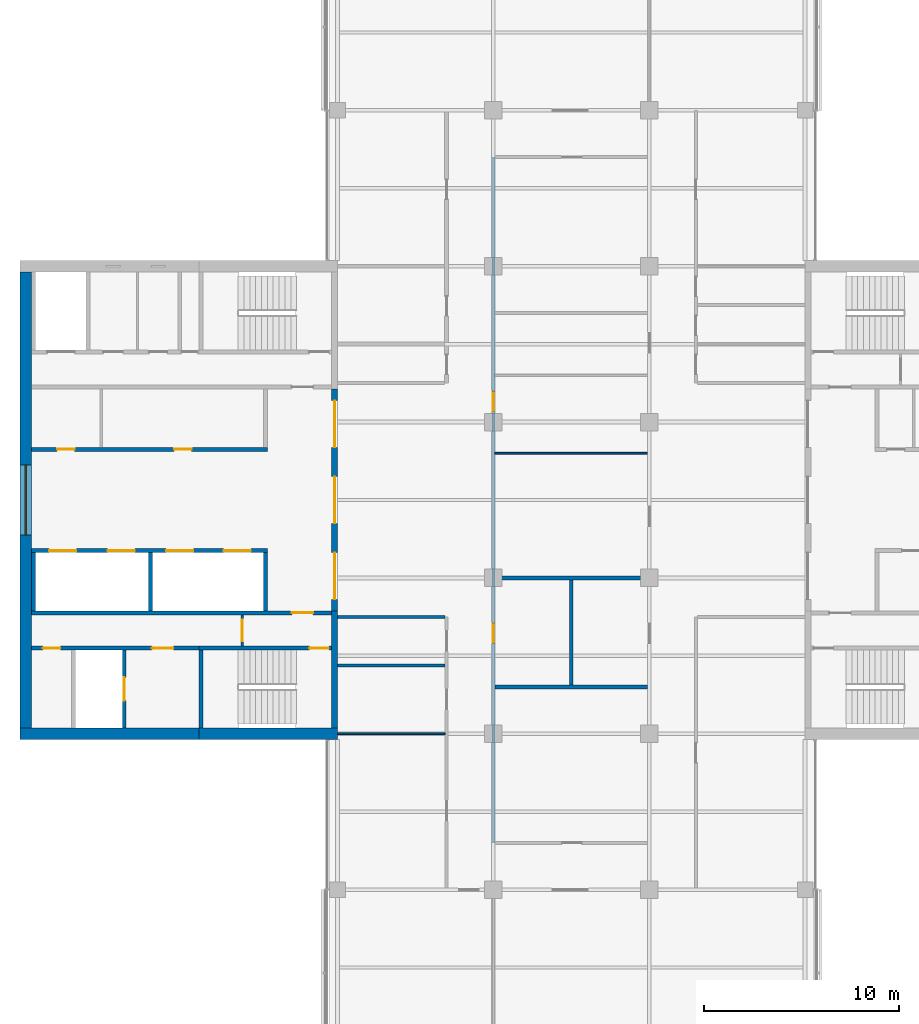
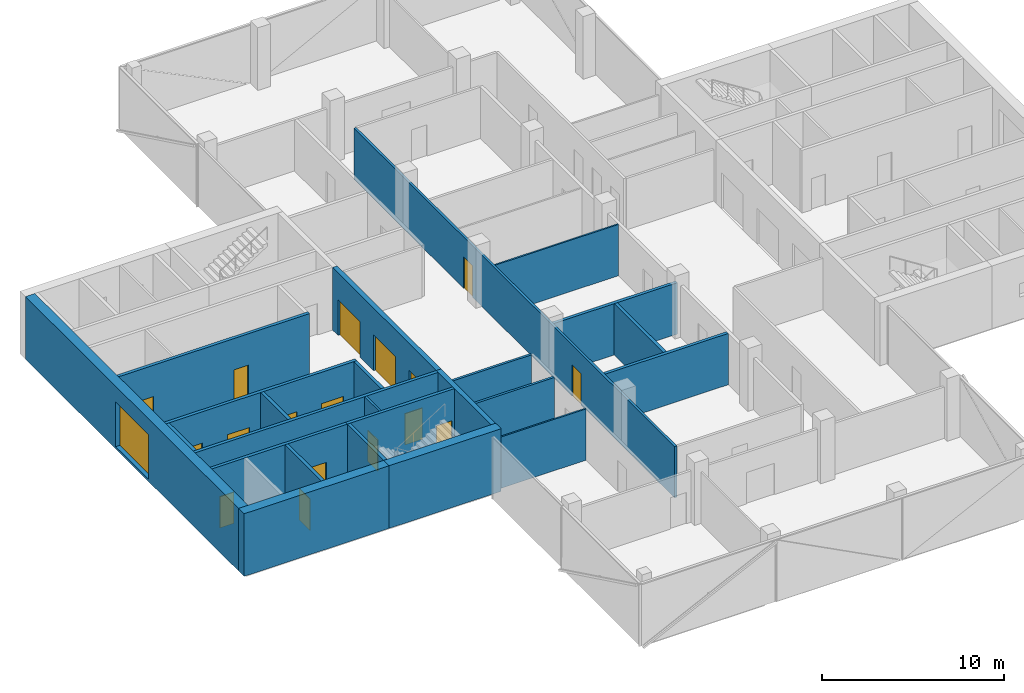
# One storey, part 9 of 15: 24 walls, 17 doors, 1 window, 18 openings.
"""IFC4 building model written with IfcOpenShell, lengths in metres."""

import ifcopenshell
import ifcopenshell.guid

model = None  # the IFC model being written
_history = None  # IfcOwnerHistory: only IFC2X3 demands one
_inside = {}  # id of a spatial element -> (the spatial element, [elements in it])
_under = {}  # id of a project, library or spatial element -> (it, [spatial elements below it])
_declared = {}  # id of a project -> (the project, [libraries it declares])
_typed = {}  # id of a type object -> (the type object, [elements of that type])
_made_of = {}  # id of a material, layer set ... -> (it, [elements and type objects made of it])


def new_model(schema):
    """Start an empty IFC model of exactly this schema.

    Asked for "IFC4X3", IfcOpenShell would pick the latest addendum, in which some entities
    have other attributes; the version numbers below select the first issue.
    IFC2X3 requires an IfcOwnerHistory on every rooted entity: one is made here for all.
    """
    global model, _history
    if schema == "IFC4X3":
        model = ifcopenshell.file(schema_version=(4, 3, 0, 0))
    else:
        model = ifcopenshell.file(schema=schema)
    _inside.clear()
    _under.clear()
    _declared.clear()
    _typed.clear()
    _made_of.clear()
    _history = None
    if model.schema == "IFC2X3":
        org = make("IfcOrganization", Name="unknown")
        user = make(
            "IfcPersonAndOrganization",
            ThePerson=make("IfcPerson", FamilyName="unknown"),
            TheOrganization=org,
        )
        app = make(
            "IfcApplication",
            ApplicationDeveloper=org,
            Version="unknown",
            ApplicationFullName="unknown",
            ApplicationIdentifier="unknown",
        )
        _history = make(
            "IfcOwnerHistory",
            OwningUser=user,
            OwningApplication=app,
            ChangeAction="ADDED",
            CreationDate=0,
        )
    return model


def make(cls, **values):
    """One entity of the class cls with the attributes given. An attribute that is None is left unset."""
    return model.create_entity(
        cls, **{name: value for name, value in values.items() if value is not None}
    )


def rooted(cls, **values):
    """An entity with a GlobalId (a new one), such as an element, a storey or a relation."""
    return make(cls, GlobalId=ifcopenshell.guid.new(), OwnerHistory=_history, **values)


def si_unit(unit_type, name, prefix=None):
    """IfcSIUnit, for example si_unit("LENGTHUNIT", "METRE", prefix="MILLI")."""
    return make("IfcSIUnit", UnitType=unit_type, Prefix=prefix, Name=name)


def assignment(units):
    """IfcUnitAssignment: the units of a project."""
    return None if units is None else make("IfcUnitAssignment", Units=units)


def point(xyz):
    """IfcCartesianPoint."""
    return None if xyz is None else make("IfcCartesianPoint", Coordinates=xyz)


def direction(xyz):
    """IfcDirection."""
    return None if xyz is None else make("IfcDirection", DirectionRatios=xyz)


def frame(location, z_axis=None, x_axis=None):
    """IfcAxis2Placement3D, a coordinate frame: its origin and axes. An axis left out is left unset."""
    return make(
        "IfcAxis2Placement3D",
        Location=point(location),
        Axis=direction(z_axis),
        RefDirection=direction(x_axis),
    )


def frame_2d(location, x_axis=None):
    """IfcAxis2Placement2D, a coordinate frame in the plane: its origin and x axis."""
    return make(
        "IfcAxis2Placement2D", Location=point(location), RefDirection=direction(x_axis)
    )


def origin():
    """The frame at (0, 0, 0) with its axes left unset."""
    return frame((0.0, 0.0, 0.0))


def place(relative_to, where):
    """IfcLocalPlacement: puts the frame where relative to a parent placement (None: the world)."""
    return make(
        "IfcLocalPlacement", PlacementRelTo=relative_to, RelativePlacement=where
    )


def context(
    kind, dimensions, precision=None, world=None, true_north=None, identifier=None
):
    """IfcGeometricRepresentationContext, for example the 3D "Model" context."""
    return make(
        "IfcGeometricRepresentationContext",
        ContextIdentifier=identifier,
        ContextType=kind,
        CoordinateSpaceDimension=dimensions,
        Precision=precision,
        WorldCoordinateSystem=world,
        TrueNorth=true_north,
    )


def subcontext(parent, identifier, kind, view, scale=None):
    """IfcGeometricRepresentationSubContext, for example "Body" below "Model"."""
    return make(
        "IfcGeometricRepresentationSubContext",
        ContextIdentifier=identifier,
        ContextType=kind,
        ParentContext=parent,
        TargetScale=scale,
        TargetView=view,
    )


def project(units=None, contexts=None):
    """IfcProject with its units and contexts."""
    return rooted(
        "IfcProject",
        Name="project",
        RepresentationContexts=contexts,
        UnitsInContext=assignment(units),
    )


def spatial(cls, under=None, at=None, **own):
    """A site, building, storey or space (cls), placed at a placement, below another one or the project."""
    s = rooted(cls, ObjectPlacement=at, **own)
    if under is not None:
        _under.setdefault(under.id(), (under, []))[1].append(s)
    return s


def profile(cls, at=None, kind="AREA", **sizes):
    """A parametric profile (cls). Its sizes go by their IFC names, for example OverallWidth=200.0."""
    return make(cls, ProfileType=kind, Position=at, **sizes)


def rectangle(**sizes):
    """IfcRectangleProfileDef."""
    return profile("IfcRectangleProfileDef", **sizes)


def extrude(swept, where, along, depth):
    """IfcExtrudedAreaSolid: the profile swept, set in the frame where, extruded along a direction by depth."""
    return make(
        "IfcExtrudedAreaSolid",
        SweptArea=swept,
        Position=where,
        ExtrudedDirection=direction(along),
        Depth=depth,
    )


def shape(context_of_items, identifier, shape_type, items):
    """IfcShapeRepresentation: the items that make up one representation, for example the "Body"."""
    return make(
        "IfcShapeRepresentation",
        ContextOfItems=context_of_items,
        RepresentationIdentifier=identifier,
        RepresentationType=shape_type,
        Items=items,
    )


def material(Name=None, Category=None):
    """IfcMaterial."""
    return make("IfcMaterial", Name=Name, Category=Category)


def layer(
    of_material, thickness, ventilated=None, Name=None, Category=None, Priority=None
):
    """IfcMaterialLayer: one layer of a wall or slab, of a material (None: an air gap)."""
    return make(
        "IfcMaterialLayer",
        Material=of_material,
        LayerThickness=thickness,
        IsVentilated=ventilated,
        Name=Name,
        Category=Category,
        Priority=Priority,
    )


def layer_set(layers, Name=None):
    """IfcMaterialLayerSet."""
    return make("IfcMaterialLayerSet", MaterialLayers=layers, LayerSetName=Name)


def constituent(of_material, Name=None, Category=None, fraction=None):
    """IfcMaterialConstituent: one of the materials an element consists of."""
    return make(
        "IfcMaterialConstituent",
        Name=Name,
        Material=of_material,
        Fraction=fraction,
        Category=Category,
    )


def constituent_set(constituents=None, Name=None):
    """IfcMaterialConstituentSet."""
    return make(
        "IfcMaterialConstituentSet", Name=Name, MaterialConstituents=constituents
    )


def made_of(thing, what):
    """Note that an element or type object is made of a material, layer set ...; save() writes the relation."""
    if what is not None:
        _made_of.setdefault(what.id(), (what, []))[1].append(thing)
    return thing


def type_object(cls, material=None, **own):
    """A type object (cls), such as IfcWallType, which elements share."""
    return made_of(rooted(cls, **own), material)


def element(
    cls,
    number,
    at=None,
    inside=None,
    cuts=None,
    type_object=None,
    material=None,
    context=None,
    identifier="Body",
    shape_type=None,
    held_by="IfcProductDefinitionShape",
    body=None,
    shapes=None,
    **own,
):
    """One element of the class cls, such as IfcWall. Its Tag is "e" and its number.

    at: its placement. inside: the storey or other place that contains it. cuts: it is an
    opening in that element (IfcRelVoidsElement). A single representation is given by context,
    identifier, shape_type and body (its items); several are given by shapes. held_by: the class
    of the entity that holds the representations. save() writes the other relations.
    """
    e = rooted(cls, Tag="e%d" % number, ObjectPlacement=at, **own)
    if body is not None:
        shapes = [shape(context, identifier, shape_type, body)]
    if shapes is not None:
        e.Representation = make(held_by, Representations=shapes)
    if inside is not None:
        _inside.setdefault(inside.id(), (inside, []))[1].append(e)
    if cuts is not None:
        rooted(
            "IfcRelVoidsElement", RelatingBuildingElement=cuts, RelatedOpeningElement=e
        )
    if type_object is not None:
        _typed.setdefault(type_object.id(), (type_object, []))[1].append(e)
    return made_of(e, material)


def fill(opening, filler):
    """IfcRelFillsElement: the door or window that sits in an opening."""
    return rooted(
        "IfcRelFillsElement",
        RelatingOpeningElement=opening,
        RelatedBuildingElement=filler,
    )


def aggregate(whole, parts):
    """IfcRelAggregates: a whole, such as a stair, and the parts it consists of."""
    return rooted("IfcRelAggregates", RelatingObject=whole, RelatedObjects=parts)


def save(model, path):
    """Write the relations noted so far, then the file.

    IfcRelAggregates (storeys below a building ...), IfcRelContainedInSpatialStructure (elements
    in a storey), IfcRelDefinesByType, IfcRelAssociatesMaterial and IfcRelDeclares: one each for
    every whole, place, type object, material and project.
    """
    for whole, parts in _under.values():
        aggregate(whole, parts)
    for where, things in _inside.values():
        rooted(
            "IfcRelContainedInSpatialStructure",
            RelatedElements=things,
            RelatingStructure=where,
        )
    for kind, things in _typed.values():
        rooted("IfcRelDefinesByType", RelatedObjects=things, RelatingType=kind)
    for what, things in _made_of.values():
        rooted("IfcRelAssociatesMaterial", RelatedObjects=things, RelatingMaterial=what)
    for by, libraries in _declared.values():
        rooted("IfcRelDeclares", RelatingContext=by, RelatedDefinitions=libraries)
    model.write(path)


model = new_model("IFC4")

# Units and contexts
model_context = context("Model", 3, precision=1e-05, world=origin(), true_north=direction((0.0, 1.0)))
body_context = subcontext(model_context, "Body", "Model", "MODEL_VIEW")
ifc_project = project(units=[si_unit("LENGTHUNIT", "METRE"), si_unit("AREAUNIT", "SQUARE_METRE"), si_unit("VOLUMEUNIT", "CUBIC_METRE"), si_unit("PLANEANGLEUNIT", "RADIAN"), si_unit("MASSUNIT", "GRAM", prefix="KILO")], contexts=[model_context])

# Site, building, storey
site_placement = place(None, origin())
site = spatial("IfcSite", under=ifc_project, at=site_placement, CompositionType="ELEMENT")
building_placement = place(site_placement, origin())
building = spatial("IfcBuilding", under=site, at=building_placement, Name="Crosswind Convention Tower", CompositionType="ELEMENT")
storey_placement = place(building_placement, frame((0.0, 0.0, 220.89990234375)))
storey = spatial("IfcBuildingStorey", under=building, at=storey_placement, Name="L47", CompositionType="ELEMENT", Elevation=220.89990234375)

# Walls
ifc_material_1 = material(Name="Concrete blockwork", Category="masonry")
ifc_layer_1 = layer(ifc_material_1, 0.199951171875)
ifc_layer_set_1 = layer_set([ifc_layer_1], Name="COMPARTMENT WALL 200 BLOCKWORK")
wall_type_1 = type_object("IfcWallType", Name="COMPARTMENT WALL 200 BLOCKWORK", PredefinedType="SOLIDWALL", material=ifc_layer_set_1)
wall_1_placement = place(storey_placement, frame((125.0, 90.5, 0.0), z_axis=(0.0, 0.0, 1.0), x_axis=(0.0, 1.0, 0.0)))
element("IfcWall", 1, at=wall_1_placement, inside=storey, type_object=wall_type_1, Name="Compartment wall WT42", PredefinedType="SOLIDWALL", context=body_context, shape_type="SweptSolid", body=[
    extrude(rectangle(XDim=5.39990234375, YDim=0.199951171875, at=frame_2d((2.699951171875, 0.0))), origin(), (0.0, 0.0, 1.0), 3.43994140625),
])
for number, where, z_axis, x_axis, name in (
    (2, (121.074951171875, 90.39990234375, 0.0), (0.0, 0.0, 1.0), (1.0, 0.0, 0.0), "Compartment wall WT42"),
    (3, (121.074951171875, 96.0, 0.0), (0.0, 0.0, 1.0), (1.0, 0.0, 0.0), "Compartment wall WT42"),
):
    element("IfcWall", number, at=place(storey_placement, frame(where, z_axis=z_axis, x_axis=x_axis)), inside=storey, type_object=wall_type_1, Name=name, PredefinedType="SOLIDWALL", context=body_context, shape_type="SweptSolid", body=[
        extrude(rectangle(XDim=7.824951171875, YDim=0.199951171875, at=frame_2d((3.91259765625, 0.0))), origin(), (0.0, 0.0, 1.0), 3.43994140625),
    ])

# Wall, openings, doors
ifc_material_2 = material(Name="Concrete C50/60", Category="concrete")
ifc_layer_2 = layer(ifc_material_2, 0.300048828125)
ifc_layer_set_2 = layer_set([ifc_layer_2], Name="Concrete C50/60")
wall_type_2 = type_object("IfcWallType", Name="Concrete inner core wall 300", PredefinedType="SHEAR", material=ifc_layer_set_2)
wall_2_placement = place(storey_placement, frame((112.85009765625, 105.699951171875, 0.0), z_axis=(0.0, 0.0, 1.0), x_axis=(0.0, -1.0, 0.0)))
wall_2 = element("IfcWall", 4, at=wall_2_placement, inside=storey, type_object=wall_type_2, Name="Wall SCR W L47", PredefinedType="SHEAR", context=body_context, shape_type="SweptSolid", body=[
    extrude(rectangle(XDim=11.39990234375, YDim=0.300048828125, at=frame_2d((5.699951171875, 0.0))), origin(), (0.0, 0.0, 1.0), 4.2001953125),
])
opening_1_placement = place(wall_2_placement, frame((0.60009765625, 0.0, 0.0)))
opening_1 = element("IfcOpeningElement", 5, at=opening_1_placement, cuts=wall_2, Name="Opening D100", PredefinedType="OPENING", context=body_context, shape_type="SweptSolid", body=[
    extrude(rectangle(XDim=2.39990234375, YDim=2.39990234375, at=frame_2d((1.199951171875, 1.199951171875))), frame((0.0, 0.159912109375, 0.0), z_axis=(0.0, -1.0, 0.0), x_axis=(1.0, 0.0, 0.0)), (0.0, 0.0, 1.0), 0.320068359375),
])
opening_2_placement = place(wall_2_placement, frame((4.5, 0.0, 0.0)))
opening_2 = element("IfcOpeningElement", 6, at=opening_2_placement, cuts=wall_2, Name="Opening D100", PredefinedType="OPENING", context=body_context, shape_type="SweptSolid", body=[
    extrude(rectangle(XDim=2.39990234375, YDim=2.39990234375, at=frame_2d((1.199951171875, 1.199951171875))), frame((0.0, 0.159912109375, 0.0), z_axis=(0.0, -1.0, 0.0), x_axis=(1.0, 0.0, 0.0)), (0.0, 0.0, 1.0), 0.320068359375),
])
opening_3_placement = place(wall_2_placement, frame((8.39990234375, 0.0, 0.0)))
opening_3 = element("IfcOpeningElement", 7, at=opening_3_placement, cuts=wall_2, Name="Opening D100", PredefinedType="OPENING", context=body_context, shape_type="SweptSolid", body=[
    extrude(rectangle(XDim=2.39990234375, YDim=2.39990234375, at=frame_2d((1.199951171875, 1.199951171875))), frame((0.0, 0.159912109375, 0.0), z_axis=(0.0, -1.0, 0.0), x_axis=(1.0, 0.0, 0.0)), (0.0, 0.0, 1.0), 0.320068359375),
])
ifc_material_3 = material(Name="Steel fire door with glazed vision panels", Category="steel")
door_type_1 = type_object("IfcDoorType", Name="Fire-rated double door 2400x2400", OperationType="DOUBLE_DOOR_SINGLE_SWING", PredefinedType="DOOR", material=ifc_material_3)
door_1_placement = place(opening_1_placement, origin())
door_1 = element("IfcDoor", 8, at=door_1_placement, inside=storey, type_object=door_type_1, Name="Lobby door 1 L47", ObjectType="D100", OperationType="DOUBLE_DOOR_SINGLE_SWING", OverallHeight=2.39990234375, OverallWidth=2.39990234375, PredefinedType="DOOR", context=body_context, shape_type="SweptSolid", body=[
    extrude(rectangle(XDim=2.39990234375, YDim=2.39990234375, at=frame_2d((1.199951171875, 1.199951171875))), frame((0.0, 0.02490234375, 0.0), z_axis=(0.0, -1.0, 0.0), x_axis=(1.0, 0.0, 0.0)), (0.0, 0.0, 1.0), 0.050048828125),
])
fill(opening_1, door_1)
door_2_placement = place(opening_2_placement, origin())
door_2 = element("IfcDoor", 9, at=door_2_placement, inside=storey, type_object=door_type_1, Name="Lobby door 2 L47", ObjectType="D100", OperationType="DOUBLE_DOOR_SINGLE_SWING", OverallHeight=2.39990234375, OverallWidth=2.39990234375, PredefinedType="DOOR", context=body_context, shape_type="SweptSolid", body=[
    extrude(rectangle(XDim=2.39990234375, YDim=2.39990234375, at=frame_2d((1.199951171875, 1.199951171875))), frame((0.0, 0.02490234375, 0.0), z_axis=(0.0, -1.0, 0.0), x_axis=(1.0, 0.0, 0.0)), (0.0, 0.0, 1.0), 0.050048828125),
])
fill(opening_2, door_2)
door_3_placement = place(opening_3_placement, origin())
door_3 = element("IfcDoor", 10, at=door_3_placement, inside=storey, type_object=door_type_1, Name="Lobby door 3 L47", ObjectType="D100", OperationType="DOUBLE_DOOR_SINGLE_SWING", OverallHeight=2.39990234375, OverallWidth=2.39990234375, PredefinedType="DOOR", context=body_context, shape_type="SweptSolid", body=[
    extrude(rectangle(XDim=2.39990234375, YDim=2.39990234375, at=frame_2d((1.199951171875, 1.199951171875))), frame((0.0, 0.02490234375, 0.0), z_axis=(0.0, -1.0, 0.0), x_axis=(1.0, 0.0, 0.0)), (0.0, 0.0, 1.0), 0.050048828125),
])
fill(opening_3, door_3)

# Walls
wall_3_placement = place(storey_placement, frame((112.85009765625, 94.300048828125, 0.0), z_axis=(0.0, 0.0, 1.0), x_axis=(0.0, -1.0, 0.0)))
element("IfcWall", 11, at=wall_3_placement, inside=storey, type_object=wall_type_2, Name="Wall EP W L47", PredefinedType="SHEAR", context=body_context, shape_type="SweptSolid", body=[
    extrude(rectangle(XDim=6.0, YDim=0.300048828125, at=frame_2d((3.0, 0.0))), origin(), (0.0, 0.0, 1.0), 4.2001953125),
])
ifc_layer_3 = layer(ifc_material_2, 0.199951171875)
ifc_layer_set_3 = layer_set([ifc_layer_3], Name="Concrete C50/60")
wall_type_3 = type_object("IfcWallType", Name="Concrete shaft and stair wall 200", PredefinedType="SHEAR", material=ifc_layer_set_3)
for number, where, z_axis, x_axis, name in (
    (12, (109.300048828125, 97.300048828125, 0.0), (0.0, 0.0, 1.0), (0.0, -1.0, 0.0), "Wall RPEND W L47"),
    (13, (103.39990234375, 97.300048828125, 0.0), (0.0, 0.0, 1.0), (0.0, -1.0, 0.0), "Wall RPSEP W L47"),
    (14, (97.39990234375, 97.300048828125, 0.0), (0.0, 0.0, 1.0), (0.0, -1.0, 0.0), "Wall RPEAST W L47"),
):
    element("IfcWall", number, at=place(storey_placement, frame(where, z_axis=z_axis, x_axis=x_axis)), inside=storey, type_object=wall_type_3, Name=name, PredefinedType="SHEAR", context=body_context, shape_type="SweptSolid", body=[
        extrude(rectangle(XDim=3.0, YDim=0.199951171875, at=frame_2d((1.5, 0.0))), origin(), (0.0, 0.0, 1.0), 4.2001953125),
    ])

# Wall, openings, doors
wall_4_placement = place(storey_placement, frame((109.39990234375, 97.39990234375, 0.0), z_axis=(0.0, 0.0, 1.0), x_axis=(-1.0, 0.0, 0.0)))
wall_4 = element("IfcWall", 15, at=wall_4_placement, inside=storey, type_object=wall_type_3, Name="Wall RPFRONT W L47", PredefinedType="SHEAR", context=body_context, shape_type="SweptSolid", body=[
    extrude(rectangle(XDim=12.099853515625, YDim=0.199951171875, at=frame_2d((6.0498046875, 0.0))), origin(), (0.0, 0.0, 1.0), 4.2001953125),
])
opening_4_placement = place(wall_4_placement, frame((0.85009765625, 0.0, 0.0)))
opening_4 = element("IfcOpeningElement", 16, at=opening_4_placement, cuts=wall_4, Name="Opening LD2", PredefinedType="OPENING", context=body_context, shape_type="SweptSolid", body=[
    extrude(rectangle(XDim=1.39990234375, YDim=2.10009765625, at=frame_2d((0.699951171875, 1.050048828125))), frame((0.0, 0.10986328125, 0.0), z_axis=(0.0, -1.0, 0.0), x_axis=(1.0, 0.0, 0.0)), (0.0, 0.0, 1.0), 0.219970703125),
])
opening_5_placement = place(wall_4_placement, frame((3.800048828125, 0.0, 0.0)))
opening_5 = element("IfcOpeningElement", 17, at=opening_5_placement, cuts=wall_4, Name="Opening LD2", PredefinedType="OPENING", context=body_context, shape_type="SweptSolid", body=[
    extrude(rectangle(XDim=1.39990234375, YDim=2.10009765625, at=frame_2d((0.699951171875, 1.050048828125))), frame((0.0, 0.10986328125, 0.0), z_axis=(0.0, -1.0, 0.0), x_axis=(1.0, 0.0, 0.0)), (0.0, 0.0, 1.0), 0.219970703125),
])
opening_6_placement = place(wall_4_placement, frame((6.800048828125, 0.0, 0.0)))
opening_6 = element("IfcOpeningElement", 18, at=opening_6_placement, cuts=wall_4, Name="Opening LD2", PredefinedType="OPENING", context=body_context, shape_type="SweptSolid", body=[
    extrude(rectangle(XDim=1.39990234375, YDim=2.10009765625, at=frame_2d((0.699951171875, 1.050048828125))), frame((0.0, 0.10986328125, 0.0), z_axis=(0.0, -1.0, 0.0), x_axis=(1.0, 0.0, 0.0)), (0.0, 0.0, 1.0), 0.219970703125),
])
opening_7_placement = place(wall_4_placement, frame((9.800048828125, 0.0, 0.0)))
opening_7 = element("IfcOpeningElement", 19, at=opening_7_placement, cuts=wall_4, Name="Opening LD2", PredefinedType="OPENING", context=body_context, shape_type="SweptSolid", body=[
    extrude(rectangle(XDim=1.39990234375, YDim=2.10009765625, at=frame_2d((0.699951171875, 1.050048828125))), frame((0.0, 0.10986328125, 0.0), z_axis=(0.0, -1.0, 0.0), x_axis=(1.0, 0.0, 0.0)), (0.0, 0.0, 1.0), 0.219970703125),
])
ifc_material_4 = material(Name="Stainless steel", Category="steel")
door_type_2 = type_object("IfcDoorType", Name="Lift landing door 1400x2100", OperationType="DOUBLE_DOOR_SLIDING", PredefinedType="DOOR", material=ifc_material_4)
door_4_placement = place(opening_4_placement, origin())
door_4 = element("IfcDoor", 20, at=door_4_placement, inside=storey, type_object=door_type_2, Name="Landing door HR1 L47", ObjectType="LD2", OperationType="DOUBLE_DOOR_SLIDING", OverallHeight=2.10009765625, OverallWidth=1.39990234375, PredefinedType="DOOR", context=body_context, shape_type="SweptSolid", body=[
    extrude(rectangle(XDim=1.39990234375, YDim=2.10009765625, at=frame_2d((0.699951171875, 1.050048828125))), frame((0.0, 0.02490234375, 0.0), z_axis=(0.0, -1.0, 0.0), x_axis=(1.0, 0.0, 0.0)), (0.0, 0.0, 1.0), 0.050048828125),
])
fill(opening_4, door_4)
door_5_placement = place(opening_5_placement, origin())
door_5 = element("IfcDoor", 21, at=door_5_placement, inside=storey, type_object=door_type_2, Name="Landing door HR2 L47", ObjectType="LD2", OperationType="DOUBLE_DOOR_SLIDING", OverallHeight=2.10009765625, OverallWidth=1.39990234375, PredefinedType="DOOR", context=body_context, shape_type="SweptSolid", body=[
    extrude(rectangle(XDim=1.39990234375, YDim=2.10009765625, at=frame_2d((0.699951171875, 1.050048828125))), frame((0.0, 0.02490234375, 0.0), z_axis=(0.0, -1.0, 0.0), x_axis=(1.0, 0.0, 0.0)), (0.0, 0.0, 1.0), 0.050048828125),
])
fill(opening_5, door_5)
door_6_placement = place(opening_6_placement, origin())
door_6 = element("IfcDoor", 22, at=door_6_placement, inside=storey, type_object=door_type_2, Name="Landing door HR3 L47", ObjectType="LD2", OperationType="DOUBLE_DOOR_SLIDING", OverallHeight=2.10009765625, OverallWidth=1.39990234375, PredefinedType="DOOR", context=body_context, shape_type="SweptSolid", body=[
    extrude(rectangle(XDim=1.39990234375, YDim=2.10009765625, at=frame_2d((0.699951171875, 1.050048828125))), frame((0.0, 0.02490234375, 0.0), z_axis=(0.0, -1.0, 0.0), x_axis=(1.0, 0.0, 0.0)), (0.0, 0.0, 1.0), 0.050048828125),
])
fill(opening_6, door_6)
door_7_placement = place(opening_7_placement, origin())
door_7 = element("IfcDoor", 23, at=door_7_placement, inside=storey, type_object=door_type_2, Name="Landing door HR4 L47", ObjectType="LD2", OperationType="DOUBLE_DOOR_SLIDING", OverallHeight=2.10009765625, OverallWidth=1.39990234375, PredefinedType="DOOR", context=body_context, shape_type="SweptSolid", body=[
    extrude(rectangle(XDim=1.39990234375, YDim=2.10009765625, at=frame_2d((0.699951171875, 1.050048828125))), frame((0.0, 0.02490234375, 0.0), z_axis=(0.0, -1.0, 0.0), x_axis=(1.0, 0.0, 0.0)), (0.0, 0.0, 1.0), 0.050048828125),
])
fill(opening_7, door_7)

wall_5_placement = place(storey_placement, frame((109.39990234375, 102.60009765625, 0.0), z_axis=(0.0, 0.0, 1.0), x_axis=(-1.0, 0.0, 0.0)))
wall_5 = element("IfcWall", 24, at=wall_5_placement, inside=storey, type_object=wall_type_3, Name="Wall RMFRONT W L47", PredefinedType="SHEAR", context=body_context, shape_type="SweptSolid", body=[
    extrude(rectangle(XDim=12.099853515625, YDim=0.199951171875, at=frame_2d((6.0498046875, 0.0))), origin(), (0.0, 0.0, 1.0), 4.2001953125),
])
opening_8_placement = place(wall_5_placement, frame((3.8837890625, 0.0, 0.0)))
opening_8 = element("IfcOpeningElement", 25, at=opening_8_placement, cuts=wall_5, Name="Opening D106", PredefinedType="OPENING", context=body_context, shape_type="SweptSolid", body=[
    extrude(rectangle(XDim=0.89990234375, YDim=2.10009765625, at=frame_2d((0.449951171875, 1.050048828125))), frame((0.0, 0.10986328125, 0.0), z_axis=(0.0, -1.0, 0.0), x_axis=(1.0, 0.0, 0.0)), (0.0, 0.0, 1.0), 0.219970703125),
])
opening_9_placement = place(wall_5_placement, frame((9.896240234375, 0.0, 0.0)))
opening_9 = element("IfcOpeningElement", 26, at=opening_9_placement, cuts=wall_5, Name="Opening D106", PredefinedType="OPENING", context=body_context, shape_type="SweptSolid", body=[
    extrude(rectangle(XDim=0.89990234375, YDim=2.10009765625, at=frame_2d((0.449951171875, 1.050048828125))), frame((0.0, 0.10986328125, 0.0), z_axis=(0.0, -1.0, 0.0), x_axis=(1.0, 0.0, 0.0)), (0.0, 0.0, 1.0), 0.219970703125),
])
ifc_material_5 = material(Name="Timber door", Category="wood")
door_type_3 = type_object("IfcDoorType", Name="Single leaf door 900x2100", OperationType="NOTDEFINED", PredefinedType="DOOR", material=ifc_material_5)
door_8_placement = place(opening_8_placement, frame((0.89990234375, 0.0, 0.0), z_axis=(0.0, 0.0, 1.0), x_axis=(-1.0, 0.0, 0.0)))
door_8 = element("IfcDoor", 27, at=door_8_placement, inside=storey, type_object=door_type_3, Name="Door to pantry L47", ObjectType="D106", OperationType="SINGLE_SWING_LEFT", OverallHeight=2.10009765625, OverallWidth=0.89990234375, PredefinedType="DOOR", context=body_context, shape_type="SweptSolid", body=[
    extrude(rectangle(XDim=0.89990234375, YDim=2.10009765625, at=frame_2d((0.449951171875, 1.050048828125))), frame((0.0, 0.02490234375, 0.0), z_axis=(0.0, -1.0, 0.0), x_axis=(1.0, 0.0, 0.0)), (0.0, 0.0, 1.0), 0.050048828125),
])
fill(opening_8, door_8)
door_9_placement = place(opening_9_placement, frame((0.89990234375, 0.0, 0.0), z_axis=(0.0, 0.0, 1.0), x_axis=(-1.0, 0.0, 0.0)))
door_9 = element("IfcDoor", 28, at=door_9_placement, inside=storey, type_object=door_type_3, Name="Door to telecoms room L47", ObjectType="D106", OperationType="SINGLE_SWING_LEFT", OverallHeight=2.10009765625, OverallWidth=0.89990234375, PredefinedType="DOOR", context=body_context, shape_type="SweptSolid", body=[
    extrude(rectangle(XDim=0.89990234375, YDim=2.10009765625, at=frame_2d((0.449951171875, 1.050048828125))), frame((0.0, 0.02490234375, 0.0), z_axis=(0.0, -1.0, 0.0), x_axis=(1.0, 0.0, 0.0)), (0.0, 0.0, 1.0), 0.050048828125),
])
fill(opening_9, door_9)

# Wall, opening, door
wall_6_placement = place(storey_placement, frame((112.699951171875, 94.199951171875, 0.0), z_axis=(0.0, 0.0, 1.0), x_axis=(-1.0, 0.0, 0.0)))
wall_6 = element("IfcWall", 29, at=wall_6_placement, inside=storey, type_object=wall_type_3, Name="Wall HP W L47", PredefinedType="SHEAR", context=body_context, shape_type="SweptSolid", body=[
    extrude(rectangle(XDim=15.39990234375, YDim=0.199951171875, at=frame_2d((7.699951171875, 0.0))), origin(), (0.0, 0.0, 1.0), 4.2001953125),
])
opening_10_placement = place(wall_6_placement, frame((0.949951171875, 0.0, 0.0)))
opening_10 = element("IfcOpeningElement", 30, at=opening_10_placement, cuts=wall_6, Name="Opening D104", PredefinedType="OPENING", context=body_context, shape_type="SweptSolid", body=[
    extrude(rectangle(XDim=1.10009765625, YDim=2.10009765625, at=frame_2d((0.550048828125, 1.050048828125))), frame((0.0, 0.10986328125, 0.0), z_axis=(0.0, -1.0, 0.0), x_axis=(1.0, 0.0, 0.0)), (0.0, 0.0, 1.0), 0.219970703125),
])
ifc_material_6 = material(Name="Steel fire door", Category="steel")
door_type_4 = type_object("IfcDoorType", Name="Fire-rated single door 1100x2100", OperationType="NOTDEFINED", PredefinedType="DOOR", material=ifc_material_6)
door_10_placement = place(opening_10_placement, origin())
door_10 = element("IfcDoor", 31, at=door_10_placement, inside=storey, type_object=door_type_4, Name="Corridor door L47", ObjectType="D104", OperationType="SINGLE_SWING_LEFT", OverallHeight=2.10009765625, OverallWidth=1.10009765625, PredefinedType="DOOR", context=body_context, shape_type="SweptSolid", body=[
    extrude(rectangle(XDim=1.10009765625, YDim=2.10009765625, at=frame_2d((0.550048828125, 1.050048828125))), frame((0.0, 0.02490234375, 0.0), z_axis=(0.0, -1.0, 0.0), x_axis=(1.0, 0.0, 0.0)), (0.0, 0.0, 1.0), 0.050048828125),
])
fill(opening_10, door_10)

# Wall
wall_7_placement = place(storey_placement, frame((106.0, 92.300048828125, 0.0), z_axis=(0.0, 0.0, 1.0), x_axis=(0.0, -1.0, 0.0)))
element("IfcWall", 32, at=wall_7_placement, inside=storey, type_object=wall_type_3, Name="Wall PSE W L47", PredefinedType="SHEAR", context=body_context, shape_type="SweptSolid", body=[
    extrude(rectangle(XDim=4.0, YDim=0.199951171875, at=frame_2d((2.0, 0.0))), origin(), (0.0, 0.0, 1.0), 4.2001953125),
])

# Wall, opening, door
wall_8_placement = place(storey_placement, frame((102.050048828125, 92.300048828125, 0.0), z_axis=(0.0, 0.0, 1.0), x_axis=(0.0, -1.0, 0.0)))
wall_8 = element("IfcWall", 33, at=wall_8_placement, inside=storey, type_object=wall_type_3, Name="Wall PFLW W L47", PredefinedType="SHEAR", context=body_context, shape_type="SweptSolid", body=[
    extrude(rectangle(XDim=4.0, YDim=0.199951171875, at=frame_2d((2.0, 0.0))), origin(), (0.0, 0.0, 1.0), 4.2001953125),
])
opening_11_placement = place(wall_8_placement, frame((1.39990234375, 0.0, 0.0)))
opening_11 = element("IfcOpeningElement", 34, at=opening_11_placement, cuts=wall_8, Name="Opening LD1", PredefinedType="OPENING", context=body_context, shape_type="SweptSolid", body=[
    extrude(rectangle(XDim=1.199951171875, YDim=2.10009765625, at=frame_2d((0.60009765625, 1.050048828125))), frame((0.0, 0.10986328125, 0.0), z_axis=(0.0, -1.0, 0.0), x_axis=(1.0, 0.0, 0.0)), (0.0, 0.0, 1.0), 0.219970703125),
])
door_type_5 = type_object("IfcDoorType", Name="Lift landing door 1200x2100", OperationType="DOUBLE_DOOR_SLIDING", PredefinedType="DOOR", material=ifc_material_4)
door_11_placement = place(opening_11_placement, origin())
door_11 = element("IfcDoor", 35, at=door_11_placement, inside=storey, type_object=door_type_5, Name="Landing door FF2 L47", ObjectType="LD1", OperationType="DOUBLE_DOOR_SLIDING", OverallHeight=2.10009765625, OverallWidth=1.199951171875, PredefinedType="DOOR", context=body_context, shape_type="SweptSolid", body=[
    extrude(rectangle(XDim=1.199951171875, YDim=2.10009765625, at=frame_2d((0.60009765625, 1.050048828125))), frame((0.0, 0.02490234375, 0.0), z_axis=(0.0, -1.0, 0.0), x_axis=(1.0, 0.0, 0.0)), (0.0, 0.0, 1.0), 0.050048828125),
])
fill(opening_11, door_11)

wall_9_placement = place(storey_placement, frame((112.699951171875, 92.39990234375, 0.0), z_axis=(0.0, 0.0, 1.0), x_axis=(-1.0, 0.0, 0.0)))
wall_9 = element("IfcWall", 36, at=wall_9_placement, inside=storey, type_object=wall_type_3, Name="Wall PCW W L47", PredefinedType="SHEAR", context=body_context, shape_type="SweptSolid", body=[
    extrude(rectangle(XDim=6.800048828125, YDim=0.199951171875, at=frame_2d((3.39990234375, 0.0))), origin(), (0.0, 0.0, 1.0), 4.2001953125),
])
opening_12_placement = place(wall_9_placement, frame((0.14990234375, 0.0, 0.0)))
opening_12 = element("IfcOpeningElement", 37, at=opening_12_placement, cuts=wall_9, Name="Opening D103", PredefinedType="OPENING", context=body_context, shape_type="SweptSolid", body=[
    extrude(rectangle(XDim=1.0, YDim=2.10009765625, at=frame_2d((0.5, 1.050048828125))), frame((0.0, 0.10986328125, 0.0), z_axis=(0.0, -1.0, 0.0), x_axis=(1.0, 0.0, 0.0)), (0.0, 0.0, 1.0), 0.219970703125),
])
door_type_6 = type_object("IfcDoorType", Name="Fire-rated single door 1000x2100", OperationType="NOTDEFINED", PredefinedType="DOOR", material=ifc_material_6)
door_12_placement = place(opening_12_placement, origin())
door_12 = element("IfcDoor", 38, at=door_12_placement, inside=storey, type_object=door_type_6, Name="Stair ST3 door L47", ObjectType="D103", OperationType="SINGLE_SWING_LEFT", OverallHeight=2.10009765625, OverallWidth=1.0, PredefinedType="DOOR", context=body_context, shape_type="SweptSolid", body=[
    extrude(rectangle(XDim=1.0, YDim=2.10009765625, at=frame_2d((0.5, 1.050048828125))), frame((0.0, 0.02490234375, 0.0), z_axis=(0.0, -1.0, 0.0), x_axis=(1.0, 0.0, 0.0)), (0.0, 0.0, 1.0), 0.050048828125),
])
fill(opening_12, door_12)

# Wall, openings, doors
wall_10_placement = place(storey_placement, frame((105.89990234375, 92.39990234375, 0.0), z_axis=(0.0, 0.0, 1.0), x_axis=(-1.0, 0.0, 0.0)))
wall_10 = element("IfcWall", 39, at=wall_10_placement, inside=storey, type_object=wall_type_3, Name="Wall PCX W L47", PredefinedType="SHEAR", context=body_context, shape_type="SweptSolid", body=[
    extrude(rectangle(XDim=8.599853515625, YDim=0.199951171875, at=frame_2d((4.2998046875, 0.0))), origin(), (0.0, 0.0, 1.0), 4.2001953125),
])
opening_13_placement = place(wall_10_placement, frame((1.324951171875, 0.0, 0.0)))
opening_13 = element("IfcOpeningElement", 40, at=opening_13_placement, cuts=wall_10, Name="Opening D104", PredefinedType="OPENING", context=body_context, shape_type="SweptSolid", body=[
    extrude(rectangle(XDim=1.10009765625, YDim=2.10009765625, at=frame_2d((0.550048828125, 1.050048828125))), frame((0.0, 0.10986328125, 0.0), z_axis=(0.0, -1.0, 0.0), x_axis=(1.0, 0.0, 0.0)), (0.0, 0.0, 1.0), 0.219970703125),
])
opening_14_placement = place(wall_10_placement, frame((7.125, 0.0, 0.0)))
opening_14 = element("IfcOpeningElement", 41, at=opening_14_placement, cuts=wall_10, Name="Opening D106", PredefinedType="OPENING", context=body_context, shape_type="SweptSolid", body=[
    extrude(rectangle(XDim=0.89990234375, YDim=2.10009765625, at=frame_2d((0.449951171875, 1.050048828125))), frame((0.0, 0.10986328125, 0.0), z_axis=(0.0, -1.0, 0.0), x_axis=(1.0, 0.0, 0.0)), (0.0, 0.0, 1.0), 0.219970703125),
])
door_13_placement = place(opening_13_placement, origin())
door_13 = element("IfcDoor", 42, at=door_13_placement, inside=storey, type_object=door_type_4, Name="Fire-fighting lobby FF2 door L47", ObjectType="D104", OperationType="SINGLE_SWING_RIGHT", OverallHeight=2.10009765625, OverallWidth=1.10009765625, PredefinedType="DOOR", context=body_context, shape_type="SweptSolid", body=[
    extrude(rectangle(XDim=1.10009765625, YDim=2.10009765625, at=frame_2d((0.550048828125, 1.050048828125))), frame((0.0, 0.02490234375, 0.0), z_axis=(0.0, -1.0, 0.0), x_axis=(1.0, 0.0, 0.0)), (0.0, 0.0, 1.0), 0.050048828125),
])
fill(opening_13, door_13)
door_14_placement = place(opening_14_placement, origin())
door_14 = element("IfcDoor", 43, at=door_14_placement, inside=storey, type_object=door_type_3, Name="Door to cleaners' store L47", ObjectType="D106", OperationType="SINGLE_SWING_RIGHT", OverallHeight=2.10009765625, OverallWidth=0.89990234375, PredefinedType="DOOR", context=body_context, shape_type="SweptSolid", body=[
    extrude(rectangle(XDim=0.89990234375, YDim=2.10009765625, at=frame_2d((0.449951171875, 1.050048828125))), frame((0.0, 0.02490234375, 0.0), z_axis=(0.0, -1.0, 0.0), x_axis=(1.0, 0.0, 0.0)), (0.0, 0.0, 1.0), 0.050048828125),
])
fill(opening_14, door_14)

# Wall, opening, door
ifc_material_7 = material(Name="Gypsum plasterboard partition", Category="gypsum")
ifc_layer_4 = layer(ifc_material_7, 0.125)
ifc_layer_set_4 = layer_set([ifc_layer_4], Name="Drywall partition wall 125")
wall_type_4 = type_object("IfcWallType", Name="Drywall partition wall 125", PredefinedType="PARTITIONING", material=ifc_layer_set_4)
wall_11_placement = place(storey_placement, frame((108.10009765625, 94.10009765625, 0.0), z_axis=(0.0, 0.0, 1.0), x_axis=(0.0, -1.0, 0.0)))
wall_11 = element("IfcWall", 44, at=wall_11_placement, inside=storey, type_object=wall_type_4, Name="Wall PXC1 W L47", PredefinedType="PARTITIONING", context=body_context, shape_type="SweptSolid", body=[
    extrude(rectangle(XDim=1.60009765625, YDim=0.125, at=frame_2d((0.800048828125, 0.0))), origin(), (0.0, 0.0, 1.0), 4.2001953125),
])
opening_15_placement = place(wall_11_placement, frame((0.25, 0.0, 0.0)))
opening_15 = element("IfcOpeningElement", 45, at=opening_15_placement, cuts=wall_11, Name="Opening D104", PredefinedType="OPENING", context=body_context, shape_type="SweptSolid", body=[
    extrude(rectangle(XDim=1.10009765625, YDim=2.10009765625, at=frame_2d((0.550048828125, 1.050048828125))), frame((0.0, 0.072509765625, 0.0), z_axis=(0.0, -1.0, 0.0), x_axis=(1.0, 0.0, 0.0)), (0.0, 0.0, 1.0), 0.14501953125),
])
door_15_placement = place(opening_15_placement, origin())
door_15 = element("IfcDoor", 46, at=door_15_placement, inside=storey, type_object=door_type_4, Name="Corridor smoke door L47", ObjectType="D104", OperationType="SINGLE_SWING_RIGHT", OverallHeight=2.10009765625, OverallWidth=1.10009765625, PredefinedType="DOOR", context=body_context, shape_type="SweptSolid", body=[
    extrude(rectangle(XDim=1.10009765625, YDim=2.10009765625, at=frame_2d((0.550048828125, 1.050048828125))), frame((0.0, 0.02490234375, 0.0), z_axis=(0.0, -1.0, 0.0), x_axis=(1.0, 0.0, 0.0)), (0.0, 0.0, 1.0), 0.050048828125),
])
fill(opening_15, door_15)

# Walls
ifc_material_8 = material(Name="Plasterboard partition", Category="gypsum")
ifc_layer_5 = layer(ifc_material_8, 0.10009765625)
ifc_layer_set_5 = layer_set([ifc_layer_5], Name="PARTITION 100 METAL STUD")
wall_type_5 = type_object("IfcWallType", Name="PARTITION 100 METAL STUD", PredefinedType="PARTITIONING", material=ifc_layer_set_5)
wall_12_placement = place(storey_placement, frame((113.0, 88.0, 0.0), z_axis=(0.0, 0.0, 1.0), x_axis=(1.0, 0.0, 0.0)))
element("IfcWall", 47, at=wall_12_placement, inside=storey, type_object=wall_type_5, Name="Partition wall WT40", PredefinedType="PARTITIONING", context=body_context, shape_type="SweptSolid", body=[
    extrude(rectangle(XDim=5.52490234375, YDim=0.10009765625, at=frame_2d((2.762451171875, 0.0))), origin(), (0.0, 0.0, 1.0), 3.43994140625),
])
wall_13_placement = place(storey_placement, frame((121.074951171875, 102.39990234375, 0.0), z_axis=(0.0, 0.0, 1.0), x_axis=(1.0, 0.0, 0.0)))
element("IfcWall", 48, at=wall_13_placement, inside=storey, type_object=wall_type_5, Name="Partition wall WT40", PredefinedType="PARTITIONING", context=body_context, shape_type="SweptSolid", body=[
    extrude(rectangle(XDim=7.824951171875, YDim=0.10009765625, at=frame_2d((3.91259765625, 0.0))), origin(), (0.0, 0.0, 1.0), 3.43994140625),
])

# Wall, openings, doors
ifc_material_9 = material(Name="Fire-board partition with mineral wool", Category="gypsum")
ifc_layer_6 = layer(ifc_material_9, 0.14990234375)
ifc_layer_set_6 = layer_set([ifc_layer_6], Name="TENANCY WALL 150 TWO-HOUR BOARD")
wall_type_6 = type_object("IfcWallType", Name="TENANCY WALL 150 TWO-HOUR BOARD", PredefinedType="PARTITIONING", material=ifc_layer_set_6)
wall_14_placement = place(storey_placement, frame((121.0, 82.39990234375, 0.0), z_axis=(0.0, 0.0, 1.0), x_axis=(0.0, 1.0, 0.0)))
wall_14 = element("IfcWall", 49, at=wall_14_placement, inside=storey, type_object=wall_type_6, Name="Tenancy wall WT41", PredefinedType="PARTITIONING", context=body_context, shape_type="SweptSolid", body=[
    extrude(rectangle(XDim=35.2001953125, YDim=0.14990234375, at=frame_2d((17.60009765625, 0.0))), origin(), (0.0, 0.0, 1.0), 3.43994140625),
])
opening_16_placement = place(wall_14_placement, frame((10.25, 0.0, 0.0)))
opening_16 = element("IfcOpeningElement", 50, at=opening_16_placement, cuts=wall_14, Name="Opening L47-65", PredefinedType="OPENING", context=body_context, shape_type="SweptSolid", body=[
    extrude(rectangle(XDim=1.0, YDim=2.10009765625, at=frame_2d((0.5, 1.050048828125))), frame((0.0, 0.0849609375, 0.0), z_axis=(0.0, -1.0, 0.0), x_axis=(1.0, 0.0, 0.0)), (0.0, 0.0, 1.0), 0.169921875),
])
opening_17_placement = place(wall_14_placement, frame((22.14990234375, 0.0, 0.0)))
opening_17 = element("IfcOpeningElement", 51, at=opening_17_placement, cuts=wall_14, Name="Opening L47-68", PredefinedType="OPENING", context=body_context, shape_type="SweptSolid", body=[
    extrude(rectangle(XDim=1.0, YDim=2.10009765625, at=frame_2d((0.5, 1.050048828125))), frame((0.0, 0.0849609375, 0.0), z_axis=(0.0, -1.0, 0.0), x_axis=(1.0, 0.0, 0.0)), (0.0, 0.0, 1.0), 0.169921875),
])
ifc_material_10 = material(Name="Timber fire door", Category="wood")
door_type_7 = type_object("IfcDoorType", Name="TENANCY ENTRANCE DOOR 1000X2100 FD30S", OperationType="NOTDEFINED", PredefinedType="DOOR", material=ifc_material_10)
door_16_placement = place(opening_16_placement, frame((1.0, 0.0, 0.0), z_axis=(0.0, 0.0, 1.0), x_axis=(-1.0, 0.0, 0.0)))
door_16 = element("IfcDoor", 52, at=door_16_placement, inside=storey, type_object=door_type_7, Name="Door L47-65", ObjectType="D41", OperationType="SINGLE_SWING_LEFT", OverallHeight=2.10009765625, OverallWidth=1.0, PredefinedType="DOOR", context=body_context, shape_type="SweptSolid", body=[
    extrude(rectangle(XDim=1.0, YDim=2.10009765625, at=frame_2d((0.5, 1.050048828125))), frame((0.0, 0.02490234375, 0.0), z_axis=(0.0, -1.0, 0.0), x_axis=(1.0, 0.0, 0.0)), (0.0, 0.0, 1.0), 0.050048828125),
])
fill(opening_16, door_16)
door_17_placement = place(opening_17_placement, frame((1.0, 0.0, 0.0), z_axis=(0.0, 0.0, 1.0), x_axis=(-1.0, 0.0, 0.0)))
door_17 = element("IfcDoor", 53, at=door_17_placement, inside=storey, type_object=door_type_7, Name="Door L47-68", ObjectType="D41", OperationType="SINGLE_SWING_RIGHT", OverallHeight=2.10009765625, OverallWidth=1.0, PredefinedType="DOOR", context=body_context, shape_type="SweptSolid", body=[
    extrude(rectangle(XDim=1.0, YDim=2.10009765625, at=frame_2d((0.5, 1.050048828125))), frame((0.0, 0.02490234375, 0.0), z_axis=(0.0, -1.0, 0.0), x_axis=(1.0, 0.0, 0.0)), (0.0, 0.0, 1.0), 0.050048828125),
])
fill(opening_17, door_17)

# Walls
for number, where, z_axis, x_axis, name in (
    (54, (113.0, 91.5, 0.0), (0.0, 0.0, 1.0), (1.0, 0.0, 0.0), "Tenancy wall WT41"),
    (55, (113.0, 94.0, 0.0), (0.0, 0.0, 1.0), (1.0, 0.0, 0.0), "Tenancy wall WT41"),
):
    element("IfcWall", number, at=place(storey_placement, frame(where, z_axis=z_axis, x_axis=x_axis)), inside=storey, type_object=wall_type_6, Name=name, PredefinedType="PARTITIONING", context=body_context, shape_type="SweptSolid", body=[
        extrude(rectangle(XDim=5.52490234375, YDim=0.14990234375, at=frame_2d((2.762451171875, 0.0))), origin(), (0.0, 0.0, 1.0), 3.43994140625),
    ])
ifc_material_11 = material(Name="Concrete C60/75", Category="concrete")
ifc_constituent_1 = constituent(ifc_material_11, Name="Structure")
ifc_material_12 = material(Name="Terracotta rainscreen", Category="ceramic")
ifc_constituent_2 = constituent(ifc_material_12, Name="Facing")
ifc_constituent_set = constituent_set(constituents=[ifc_constituent_1, ifc_constituent_2], Name="Concrete C60/75, Terracotta rainscreen")
wall_type_7 = type_object("IfcWallType", Name="Terracotta rainscreen on concrete core wall 600", PredefinedType="SHEAR", material=ifc_constituent_set)
wall_15_placement = place(storey_placement, frame((113.0, 88.0, 0.0), z_axis=(0.0, 0.0, 1.0), x_axis=(-1.0, 0.0, 0.0)))
element("IfcWall", 56, at=wall_15_placement, inside=storey, type_object=wall_type_7, Name="Wall N1 W L47", PredefinedType="SHEAR", context=body_context, shape_type="SweptSolid", body=[
    extrude(rectangle(XDim=7.10009765625, YDim=0.60009765625, at=frame_2d((3.550048828125, 0.0))), origin(), (0.0, 0.0, 1.0), 4.2001953125),
])
wall_16_placement = place(storey_placement, frame((105.89990234375, 88.0, 0.0), z_axis=(0.0, 0.0, 1.0), x_axis=(-1.0, 0.0, 0.0)))
element("IfcWall", 57, at=wall_16_placement, inside=storey, type_object=wall_type_7, Name="Wall N2 W L47", PredefinedType="SHEAR", context=body_context, shape_type="SweptSolid", body=[
    extrude(rectangle(XDim=9.199951171875, YDim=0.60009765625, at=frame_2d((4.60009765625, 0.0))), origin(), (0.0, 0.0, 1.0), 4.2001953125),
])

# Wall, opening, window
wall_17_placement = place(storey_placement, frame((97.0, 111.699951171875, 0.0), z_axis=(0.0, 0.0, 1.0), x_axis=(0.0, -1.0, 0.0)))
wall_17 = element("IfcWall", 58, at=wall_17_placement, inside=storey, type_object=wall_type_7, Name="Wall O W L47", PredefinedType="SHEAR", context=body_context, shape_type="SweptSolid", body=[
    extrude(rectangle(XDim=23.39990234375, YDim=0.60009765625, at=frame_2d((11.699951171875, 0.0))), origin(), (0.0, 0.0, 1.0), 4.2001953125),
])
opening_18_placement = place(wall_17_placement, frame((9.89990234375, 0.0, 0.14990234375)))
opening_18 = element("IfcOpeningElement", 59, at=opening_18_placement, cuts=wall_17, Name="Opening W1", PredefinedType="OPENING", context=body_context, shape_type="SweptSolid", body=[
    extrude(rectangle(XDim=3.60009765625, YDim=3.0, at=frame_2d((1.800048828125, 1.5))), frame((0.0, 0.31005859375, 0.0), z_axis=(0.0, -1.0, 0.0), x_axis=(1.0, 0.0, 0.0)), (0.0, 0.0, 1.0), 0.6201171875),
])
ifc_material_13 = material(Name="Clear laminated glass in aluminium frame", Category="aluminium")
window_type = type_object("IfcWindowType", Name="Lobby end window 3600x3000", PartitioningType="SINGLE_PANEL", PredefinedType="WINDOW", material=ifc_material_13)
window_placement = place(opening_18_placement, origin())
window = element("IfcWindow", 60, at=window_placement, inside=storey, type_object=window_type, Name="Lobby end window L47", ObjectType="W1", OverallHeight=3.0, OverallWidth=3.60009765625, PartitioningType="SINGLE_PANEL", PredefinedType="WINDOW", context=body_context, shape_type="SweptSolid", body=[
    extrude(rectangle(XDim=3.60009765625, YDim=3.0, at=frame_2d((1.800048828125, 1.5))), frame((0.0, 0.030029296875, 0.0), z_axis=(0.0, -1.0, 0.0), x_axis=(1.0, 0.0, 0.0)), (0.0, 0.0, 1.0), 0.06005859375),
])
fill(opening_18, window)

save(model, "model.ifc")
